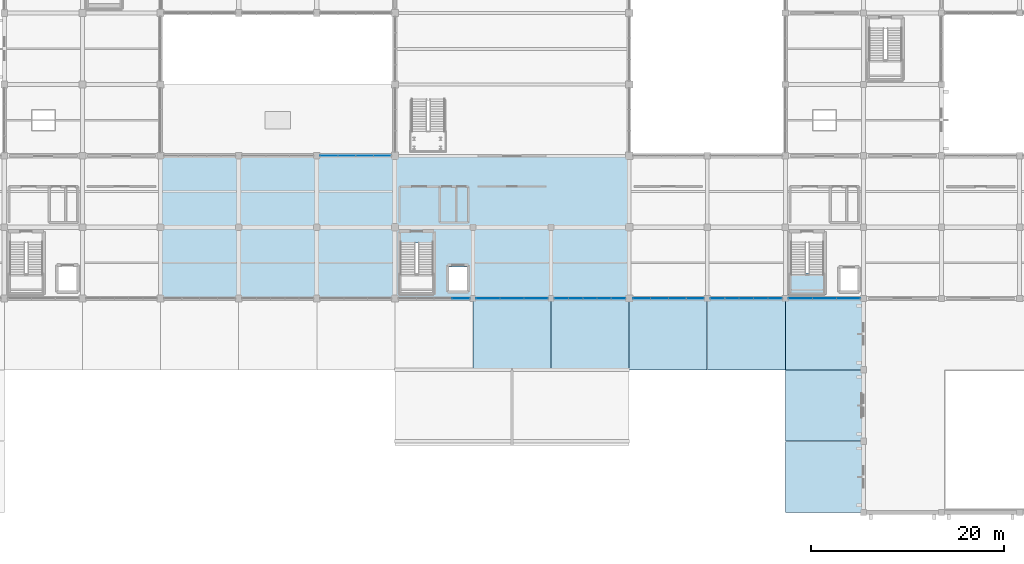
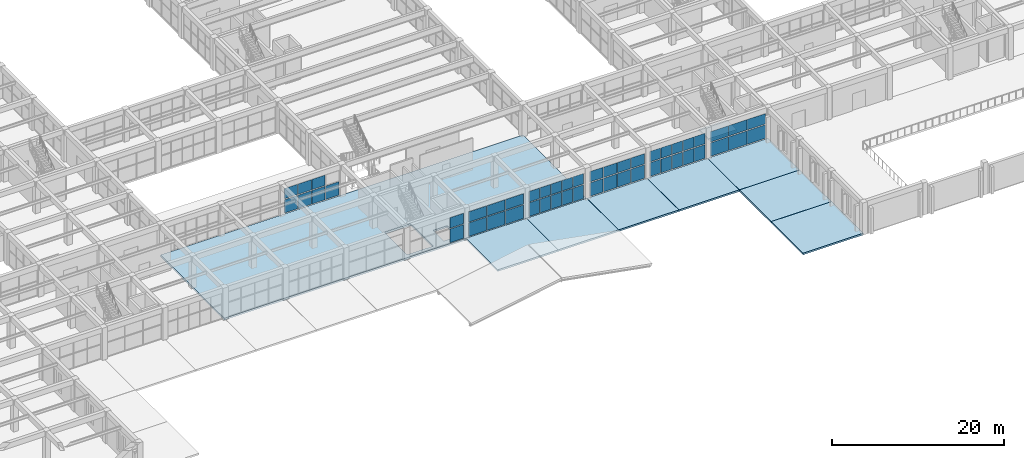
# One storey, part 133 of 161: 49 plates, 9 slabs, 8 elements without a shape of their own.
"""IFC4 building model written with IfcOpenShell, lengths in metres."""

from ifc_helpers import new_model, si_unit, direction, frame, origin, origin_2d, place, context, subcontext, project, spatial, polyline, rectangle, outline, extrude, material, layer, layer_set, type_object, element, aggregate, save


model = new_model("IFC4")

# Units and contexts
model_context = context("Model", 3, precision=1e-05, world=origin(), true_north=direction((0.0, 1.0)))
body_context = subcontext(model_context, "Body", "Model", "MODEL_VIEW")
ifc_project = project(units=[si_unit("LENGTHUNIT", "METRE"), si_unit("AREAUNIT", "SQUARE_METRE"), si_unit("VOLUMEUNIT", "CUBIC_METRE"), si_unit("PLANEANGLEUNIT", "RADIAN"), si_unit("MASSUNIT", "GRAM", prefix="KILO")], contexts=[model_context])

# Site, building, storey
site_placement = place(None, origin())
site = spatial("IfcSite", under=ifc_project, at=site_placement, CompositionType="ELEMENT")
building_placement = place(site_placement, origin())
building = spatial("IfcBuilding", under=site, at=building_placement, Name="Cimatlan Art Gallery", CompositionType="ELEMENT")
storey_placement = place(building_placement, frame((0.0, 0.0, 5.39990234375)))
storey = spatial("IfcBuildingStorey", under=building, at=storey_placement, Name="L01", CompositionType="ELEMENT", Elevation=5.39990234375)

# Curtain wall, plates
ifc_material_1 = material(Name="Anodised bronze unitised curtain wall")
curtain_wall_type_1 = type_object("IfcCurtainWallType", Name="CW-V-07392X03795-B5", PredefinedType="NOTDEFINED", material=ifc_material_1)
curtain_wall_1_placement = place(storey_placement, origin())
curtain_wall_1 = element("IfcCurtainWall", 1, at=curtain_wall_1_placement, inside=storey, type_object=curtain_wall_type_1, Name="CW-L01-11-03-S", PredefinedType="NOTDEFINED")
ifc_material_2 = material(Name="Low-E insulated double glazing", Category="glass")
ifc_layer_1 = layer(ifc_material_2, 0.028076171875)
ifc_layer_set_1 = layer_set([ifc_layer_1], Name="Low-E insulated double glazing")
plate_type_1 = type_object("IfcPlateType", Name="PNL-1420X1486", PredefinedType="CURTAIN_PANEL", material=ifc_layer_set_1)
plate_1_placement = place(storey_placement, frame((98.081787109375, 23.89990234375, 2.18701171875), z_axis=(0.0, 0.0, 1.0), x_axis=(-1.0, 0.0, 0.0)))
plate_1 = element("IfcPlate", 2, at=plate_1_placement, type_object=plate_type_1, Name="CW-L01-11-03-S-P12", PredefinedType="CURTAIN_PANEL", context=body_context, shape_type="SweptSolid", body=[
    extrude(rectangle(XDim=1.419921875, YDim=0.028076171875, at=origin_2d()), origin(), (0.0, 0.0, 1.0), 1.486083984375),
])
plate_2_placement = place(storey_placement, frame((96.603515625, 23.89990234375, 2.18701171875), z_axis=(0.0, 0.0, 1.0), x_axis=(-1.0, 0.0, 0.0)))
plate_2 = element("IfcPlate", 3, at=plate_2_placement, type_object=plate_type_1, Name="CW-L01-11-03-S-P22", PredefinedType="CURTAIN_PANEL", context=body_context, shape_type="SweptSolid", body=[
    extrude(rectangle(XDim=1.419921875, YDim=0.028076171875, at=origin_2d()), origin(), (0.0, 0.0, 1.0), 1.486083984375),
])
plate_3_placement = place(storey_placement, frame((95.125, 23.89990234375, 2.18701171875), z_axis=(0.0, 0.0, 1.0), x_axis=(-1.0, 0.0, 0.0)))
plate_3 = element("IfcPlate", 4, at=plate_3_placement, type_object=plate_type_1, Name="CW-L01-11-03-S-P32", PredefinedType="CURTAIN_PANEL", context=body_context, shape_type="SweptSolid", body=[
    extrude(rectangle(XDim=1.419921875, YDim=0.028076171875, at=origin_2d()), origin(), (0.0, 0.0, 1.0), 1.486083984375),
])
plate_4_placement = place(storey_placement, frame((93.646484375, 23.89990234375, 2.18701171875), z_axis=(0.0, 0.0, 1.0), x_axis=(-1.0, 0.0, 0.0)))
plate_4 = element("IfcPlate", 5, at=plate_4_placement, type_object=plate_type_1, Name="CW-L01-11-03-S-P42", PredefinedType="CURTAIN_PANEL", context=body_context, shape_type="SweptSolid", body=[
    extrude(rectangle(XDim=1.419921875, YDim=0.028076171875, at=origin_2d()), origin(), (0.0, 0.0, 1.0), 1.486083984375),
])
plate_5_placement = place(storey_placement, frame((92.168212890625, 23.89990234375, 2.18701171875), z_axis=(0.0, 0.0, 1.0), x_axis=(-1.0, 0.0, 0.0)))
plate_5 = element("IfcPlate", 6, at=plate_5_placement, type_object=plate_type_1, Name="CW-L01-11-03-S-P52", PredefinedType="CURTAIN_PANEL", context=body_context, shape_type="SweptSolid", body=[
    extrude(rectangle(XDim=1.419921875, YDim=0.028076171875, at=origin_2d()), origin(), (0.0, 0.0, 1.0), 1.486083984375),
])
ifc_layer_2 = layer(ifc_material_2, 0.028076171875)
ifc_layer_set_2 = layer_set([ifc_layer_2], Name="Low-E insulated double glazing")
plate_type_2 = type_object("IfcPlateType", Name="PNL-1420X1941", PredefinedType="CURTAIN_PANEL", material=ifc_layer_set_2)
plate_6_placement = place(storey_placement, frame((98.081787109375, 23.89990234375, 0.122314453125), z_axis=(0.0, 0.0, 1.0), x_axis=(-1.0, 0.0, 0.0)))
plate_6 = element("IfcPlate", 7, at=plate_6_placement, type_object=plate_type_2, Name="CW-L01-11-03-S-P11", PredefinedType="CURTAIN_PANEL", context=body_context, shape_type="SweptSolid", body=[
    extrude(rectangle(XDim=1.419921875, YDim=0.028076171875, at=origin_2d()), origin(), (0.0, 0.0, 1.0), 1.94091796875),
])
plate_7_placement = place(storey_placement, frame((96.603515625, 23.89990234375, 0.122314453125), z_axis=(0.0, 0.0, 1.0), x_axis=(-1.0, 0.0, 0.0)))
plate_7 = element("IfcPlate", 8, at=plate_7_placement, type_object=plate_type_2, Name="CW-L01-11-03-S-P21", PredefinedType="CURTAIN_PANEL", context=body_context, shape_type="SweptSolid", body=[
    extrude(rectangle(XDim=1.419921875, YDim=0.028076171875, at=origin_2d()), origin(), (0.0, 0.0, 1.0), 1.94091796875),
])
plate_8_placement = place(storey_placement, frame((95.125, 23.89990234375, 0.122314453125), z_axis=(0.0, 0.0, 1.0), x_axis=(-1.0, 0.0, 0.0)))
plate_8 = element("IfcPlate", 9, at=plate_8_placement, type_object=plate_type_2, Name="CW-L01-11-03-S-P31", PredefinedType="CURTAIN_PANEL", context=body_context, shape_type="SweptSolid", body=[
    extrude(rectangle(XDim=1.419921875, YDim=0.028076171875, at=origin_2d()), origin(), (0.0, 0.0, 1.0), 1.94091796875),
])
plate_9_placement = place(storey_placement, frame((93.646484375, 23.89990234375, 0.122314453125), z_axis=(0.0, 0.0, 1.0), x_axis=(-1.0, 0.0, 0.0)))
plate_9 = element("IfcPlate", 10, at=plate_9_placement, type_object=plate_type_2, Name="CW-L01-11-03-S-P41", PredefinedType="CURTAIN_PANEL", context=body_context, shape_type="SweptSolid", body=[
    extrude(rectangle(XDim=1.419921875, YDim=0.028076171875, at=origin_2d()), origin(), (0.0, 0.0, 1.0), 1.94091796875),
])
plate_10_placement = place(storey_placement, frame((92.168212890625, 23.89990234375, 0.122314453125), z_axis=(0.0, 0.0, 1.0), x_axis=(-1.0, 0.0, 0.0)))
plate_10 = element("IfcPlate", 11, at=plate_10_placement, type_object=plate_type_2, Name="CW-L01-11-03-S-P51", PredefinedType="CURTAIN_PANEL", context=body_context, shape_type="SweptSolid", body=[
    extrude(rectangle(XDim=1.419921875, YDim=0.028076171875, at=origin_2d()), origin(), (0.0, 0.0, 1.0), 1.94091796875),
])
aggregate(curtain_wall_1, [plate_6, plate_1, plate_7, plate_2, plate_8, plate_3, plate_9, plate_4, plate_10, plate_5])

curtain_wall_type_2 = type_object("IfcCurtainWallType", Name="CW-V-07442X03795-B5", PredefinedType="NOTDEFINED", material=ifc_material_1)
curtain_wall_2_placement = place(storey_placement, origin())
curtain_wall_2 = element("IfcCurtainWall", 12, at=curtain_wall_2_placement, inside=storey, type_object=curtain_wall_type_2, Name="CW-L01-13-03-S", PredefinedType="NOTDEFINED")
ifc_layer_3 = layer(ifc_material_2, 0.028076171875)
ifc_layer_set_3 = layer_set([ifc_layer_3], Name="Low-E insulated double glazing")
plate_type_3 = type_object("IfcPlateType", Name="PNL-1430X1486", PredefinedType="CURTAIN_PANEL", material=ifc_layer_set_3)
plate_11_placement = place(storey_placement, frame((114.326904296875, 23.89990234375, 2.18701171875), z_axis=(0.0, 0.0, 1.0), x_axis=(-1.0, 0.0, 0.0)))
plate_11 = element("IfcPlate", 13, at=plate_11_placement, type_object=plate_type_3, Name="CW-L01-13-03-S-P12", PredefinedType="CURTAIN_PANEL", context=body_context, shape_type="SweptSolid", body=[
    extrude(rectangle(XDim=1.429931640625, YDim=0.028076171875, at=origin_2d()), origin(), (0.0, 0.0, 1.0), 1.486083984375),
])
plate_12_placement = place(storey_placement, frame((112.83837890625, 23.89990234375, 2.18701171875), z_axis=(0.0, 0.0, 1.0), x_axis=(-1.0, 0.0, 0.0)))
plate_12 = element("IfcPlate", 14, at=plate_12_placement, type_object=plate_type_3, Name="CW-L01-13-03-S-P22", PredefinedType="CURTAIN_PANEL", context=body_context, shape_type="SweptSolid", body=[
    extrude(rectangle(XDim=1.429931640625, YDim=0.028076171875, at=origin_2d()), origin(), (0.0, 0.0, 1.0), 1.486083984375),
])
plate_13_placement = place(storey_placement, frame((111.35009765625, 23.89990234375, 2.18701171875), z_axis=(0.0, 0.0, 1.0), x_axis=(-1.0, 0.0, 0.0)))
plate_13 = element("IfcPlate", 15, at=plate_13_placement, type_object=plate_type_3, Name="CW-L01-13-03-S-P32", PredefinedType="CURTAIN_PANEL", context=body_context, shape_type="SweptSolid", body=[
    extrude(rectangle(XDim=1.429931640625, YDim=0.028076171875, at=origin_2d()), origin(), (0.0, 0.0, 1.0), 1.486083984375),
])
plate_14_placement = place(storey_placement, frame((109.861572265625, 23.89990234375, 2.18701171875), z_axis=(0.0, 0.0, 1.0), x_axis=(-1.0, 0.0, 0.0)))
plate_14 = element("IfcPlate", 16, at=plate_14_placement, type_object=plate_type_3, Name="CW-L01-13-03-S-P42", PredefinedType="CURTAIN_PANEL", context=body_context, shape_type="SweptSolid", body=[
    extrude(rectangle(XDim=1.429931640625, YDim=0.028076171875, at=origin_2d()), origin(), (0.0, 0.0, 1.0), 1.486083984375),
])
plate_15_placement = place(storey_placement, frame((108.373291015625, 23.89990234375, 2.18701171875), z_axis=(0.0, 0.0, 1.0), x_axis=(-1.0, 0.0, 0.0)))
plate_15 = element("IfcPlate", 17, at=plate_15_placement, type_object=plate_type_3, Name="CW-L01-13-03-S-P52", PredefinedType="CURTAIN_PANEL", context=body_context, shape_type="SweptSolid", body=[
    extrude(rectangle(XDim=1.429931640625, YDim=0.028076171875, at=origin_2d()), origin(), (0.0, 0.0, 1.0), 1.486083984375),
])
ifc_layer_4 = layer(ifc_material_2, 0.028076171875)
ifc_layer_set_4 = layer_set([ifc_layer_4], Name="Low-E insulated double glazing")
plate_type_4 = type_object("IfcPlateType", Name="PNL-1430X1941", PredefinedType="CURTAIN_PANEL", material=ifc_layer_set_4)
plate_16_placement = place(storey_placement, frame((114.326904296875, 23.89990234375, 0.122314453125), z_axis=(0.0, 0.0, 1.0), x_axis=(-1.0, 0.0, 0.0)))
plate_16 = element("IfcPlate", 18, at=plate_16_placement, type_object=plate_type_4, Name="CW-L01-13-03-S-P11", PredefinedType="CURTAIN_PANEL", context=body_context, shape_type="SweptSolid", body=[
    extrude(rectangle(XDim=1.429931640625, YDim=0.028076171875, at=origin_2d()), origin(), (0.0, 0.0, 1.0), 1.94091796875),
])
plate_17_placement = place(storey_placement, frame((112.83837890625, 23.89990234375, 0.122314453125), z_axis=(0.0, 0.0, 1.0), x_axis=(-1.0, 0.0, 0.0)))
plate_17 = element("IfcPlate", 19, at=plate_17_placement, type_object=plate_type_4, Name="CW-L01-13-03-S-P21", PredefinedType="CURTAIN_PANEL", context=body_context, shape_type="SweptSolid", body=[
    extrude(rectangle(XDim=1.429931640625, YDim=0.028076171875, at=origin_2d()), origin(), (0.0, 0.0, 1.0), 1.94091796875),
])
plate_18_placement = place(storey_placement, frame((111.35009765625, 23.89990234375, 0.122314453125), z_axis=(0.0, 0.0, 1.0), x_axis=(-1.0, 0.0, 0.0)))
plate_18 = element("IfcPlate", 20, at=plate_18_placement, type_object=plate_type_4, Name="CW-L01-13-03-S-P31", PredefinedType="CURTAIN_PANEL", context=body_context, shape_type="SweptSolid", body=[
    extrude(rectangle(XDim=1.429931640625, YDim=0.028076171875, at=origin_2d()), origin(), (0.0, 0.0, 1.0), 1.94091796875),
])
plate_19_placement = place(storey_placement, frame((109.861572265625, 23.89990234375, 0.122314453125), z_axis=(0.0, 0.0, 1.0), x_axis=(-1.0, 0.0, 0.0)))
plate_19 = element("IfcPlate", 21, at=plate_19_placement, type_object=plate_type_4, Name="CW-L01-13-03-S-P41", PredefinedType="CURTAIN_PANEL", context=body_context, shape_type="SweptSolid", body=[
    extrude(rectangle(XDim=1.429931640625, YDim=0.028076171875, at=origin_2d()), origin(), (0.0, 0.0, 1.0), 1.94091796875),
])
plate_20_placement = place(storey_placement, frame((108.373291015625, 23.89990234375, 0.122314453125), z_axis=(0.0, 0.0, 1.0), x_axis=(-1.0, 0.0, 0.0)))
plate_20 = element("IfcPlate", 22, at=plate_20_placement, type_object=plate_type_4, Name="CW-L01-13-03-S-P51", PredefinedType="CURTAIN_PANEL", context=body_context, shape_type="SweptSolid", body=[
    extrude(rectangle(XDim=1.429931640625, YDim=0.028076171875, at=origin_2d()), origin(), (0.0, 0.0, 1.0), 1.94091796875),
])
aggregate(curtain_wall_2, [plate_16, plate_11, plate_17, plate_12, plate_18, plate_13, plate_19, plate_14, plate_20, plate_15])

curtain_wall_type_3 = type_object("IfcCurtainWallType", Name="CW-V-07367X03735-B4", PredefinedType="NOTDEFINED", material=ifc_material_1)
curtain_wall_3_placement = place(storey_placement, origin())
curtain_wall_3 = element("IfcCurtainWall", 23, at=curtain_wall_3_placement, inside=storey, type_object=curtain_wall_type_3, Name="CW-L01-08-04-N", PredefinedType="NOTDEFINED")
ifc_layer_5 = layer(ifc_material_2, 0.028076171875)
ifc_layer_set_5 = layer_set([ifc_layer_5], Name="Low-E insulated double glazing")
plate_type_5 = type_object("IfcPlateType", Name="PNL-1784X1459", PredefinedType="CURTAIN_PANEL", material=ifc_layer_set_5)
plate_21_placement = place(storey_placement, frame((68.074951171875, 38.699951171875, 2.15380859375), z_axis=(0.0, 0.0, 1.0), x_axis=(1.0, 0.0, 0.0)))
plate_21 = element("IfcPlate", 24, at=plate_21_placement, type_object=plate_type_5, Name="CW-L01-08-04-N-P12", PredefinedType="CURTAIN_PANEL", context=body_context, shape_type="SweptSolid", body=[
    extrude(rectangle(XDim=1.783935546875, YDim=0.028076171875, at=origin_2d()), origin(), (0.0, 0.0, 1.0), 1.458984375),
])
plate_22_placement = place(storey_placement, frame((69.91650390625, 38.699951171875, 2.15380859375), z_axis=(0.0, 0.0, 1.0), x_axis=(1.0, 0.0, 0.0)))
plate_22 = element("IfcPlate", 25, at=plate_22_placement, type_object=plate_type_5, Name="CW-L01-08-04-N-P22", PredefinedType="CURTAIN_PANEL", context=body_context, shape_type="SweptSolid", body=[
    extrude(rectangle(XDim=1.783935546875, YDim=0.028076171875, at=origin_2d()), origin(), (0.0, 0.0, 1.0), 1.458984375),
])
plate_23_placement = place(storey_placement, frame((71.75830078125, 38.699951171875, 2.15380859375), z_axis=(0.0, 0.0, 1.0), x_axis=(1.0, 0.0, 0.0)))
plate_23 = element("IfcPlate", 26, at=plate_23_placement, type_object=plate_type_5, Name="CW-L01-08-04-N-P32", PredefinedType="CURTAIN_PANEL", context=body_context, shape_type="SweptSolid", body=[
    extrude(rectangle(XDim=1.783935546875, YDim=0.028076171875, at=origin_2d()), origin(), (0.0, 0.0, 1.0), 1.458984375),
])
ifc_layer_6 = layer(ifc_material_2, 0.028076171875)
ifc_layer_set_6 = layer_set([ifc_layer_6], Name="Low-E insulated double glazing")
plate_type_6 = type_object("IfcPlateType", Name="PNL-1784X1908", PredefinedType="CURTAIN_PANEL", material=ifc_layer_set_6)
plate_24_placement = place(storey_placement, frame((68.074951171875, 38.699951171875, 0.1220703125), z_axis=(0.0, 0.0, 1.0), x_axis=(1.0, 0.0, 0.0)))
plate_24 = element("IfcPlate", 27, at=plate_24_placement, type_object=plate_type_6, Name="CW-L01-08-04-N-P11", PredefinedType="CURTAIN_PANEL", context=body_context, shape_type="SweptSolid", body=[
    extrude(rectangle(XDim=1.783935546875, YDim=0.028076171875, at=origin_2d()), origin(), (0.0, 0.0, 1.0), 1.907958984375),
])
plate_25_placement = place(storey_placement, frame((69.91650390625, 38.699951171875, 0.1220703125), z_axis=(0.0, 0.0, 1.0), x_axis=(1.0, 0.0, 0.0)))
plate_25 = element("IfcPlate", 28, at=plate_25_placement, type_object=plate_type_6, Name="CW-L01-08-04-N-P21", PredefinedType="CURTAIN_PANEL", context=body_context, shape_type="SweptSolid", body=[
    extrude(rectangle(XDim=1.783935546875, YDim=0.028076171875, at=origin_2d()), origin(), (0.0, 0.0, 1.0), 1.907958984375),
])
plate_26_placement = place(storey_placement, frame((71.75830078125, 38.699951171875, 0.1220703125), z_axis=(0.0, 0.0, 1.0), x_axis=(1.0, 0.0, 0.0)))
plate_26 = element("IfcPlate", 29, at=plate_26_placement, type_object=plate_type_6, Name="CW-L01-08-04-N-P31", PredefinedType="CURTAIN_PANEL", context=body_context, shape_type="SweptSolid", body=[
    extrude(rectangle(XDim=1.783935546875, YDim=0.028076171875, at=origin_2d()), origin(), (0.0, 0.0, 1.0), 1.907958984375),
])
plate_27_placement = place(storey_placement, frame((73.60009765625, 38.699951171875, 0.1220703125), z_axis=(0.0, 0.0, 1.0), x_axis=(1.0, 0.0, 0.0)))
plate_27 = element("IfcPlate", 30, at=plate_27_placement, type_object=plate_type_6, Name="CW-L01-08-04-N-P41", PredefinedType="CURTAIN_PANEL", context=body_context, shape_type="SweptSolid", body=[
    extrude(rectangle(XDim=1.783935546875, YDim=0.028076171875, at=origin_2d()), origin(), (0.0, 0.0, 1.0), 1.907958984375),
])
aggregate(curtain_wall_3, [plate_24, plate_21, plate_25, plate_22, plate_26, plate_23, plate_27])

curtain_wall_type_4 = type_object("IfcCurtainWallType", Name="CW-V-07392X03750-B4", PredefinedType="NOTDEFINED", material=ifc_material_1)
curtain_wall_4_placement = place(storey_placement, origin())
curtain_wall_4 = element("IfcCurtainWall", 31, at=curtain_wall_4_placement, inside=storey, type_object=curtain_wall_type_4, Name="CW-L01-12-03-S", PredefinedType="NOTDEFINED")
ifc_layer_7 = layer(ifc_material_2, 0.028076171875)
ifc_layer_set_7 = layer_set([ifc_layer_7], Name="Low-E insulated double glazing")
plate_type_7 = type_object("IfcPlateType", Name="PNL-1790X1466", PredefinedType="CURTAIN_PANEL", material=ifc_layer_set_7)
plate_28_placement = place(storey_placement, frame((106.047119140625, 23.89990234375, 2.162109375), z_axis=(0.0, 0.0, 1.0), x_axis=(-1.0, 0.0, 0.0)))
plate_28 = element("IfcPlate", 32, at=plate_28_placement, type_object=plate_type_7, Name="CW-L01-12-03-S-P12", PredefinedType="CURTAIN_PANEL", context=body_context, shape_type="SweptSolid", body=[
    extrude(rectangle(XDim=1.7900390625, YDim=0.028076171875, at=origin_2d()), origin(), (0.0, 0.0, 1.0), 1.466064453125),
])
plate_29_placement = place(storey_placement, frame((104.198974609375, 23.89990234375, 2.162109375), z_axis=(0.0, 0.0, 1.0), x_axis=(-1.0, 0.0, 0.0)))
plate_29 = element("IfcPlate", 33, at=plate_29_placement, type_object=plate_type_7, Name="CW-L01-12-03-S-P22", PredefinedType="CURTAIN_PANEL", context=body_context, shape_type="SweptSolid", body=[
    extrude(rectangle(XDim=1.7900390625, YDim=0.028076171875, at=origin_2d()), origin(), (0.0, 0.0, 1.0), 1.466064453125),
])
plate_30_placement = place(storey_placement, frame((102.35107421875, 23.89990234375, 2.162109375), z_axis=(0.0, 0.0, 1.0), x_axis=(-1.0, 0.0, 0.0)))
plate_30 = element("IfcPlate", 34, at=plate_30_placement, type_object=plate_type_7, Name="CW-L01-12-03-S-P32", PredefinedType="CURTAIN_PANEL", context=body_context, shape_type="SweptSolid", body=[
    extrude(rectangle(XDim=1.7900390625, YDim=0.028076171875, at=origin_2d()), origin(), (0.0, 0.0, 1.0), 1.466064453125),
])
plate_31_placement = place(storey_placement, frame((100.5029296875, 23.89990234375, 2.162109375), z_axis=(0.0, 0.0, 1.0), x_axis=(-1.0, 0.0, 0.0)))
plate_31 = element("IfcPlate", 35, at=plate_31_placement, type_object=plate_type_7, Name="CW-L01-12-03-S-P42", PredefinedType="CURTAIN_PANEL", context=body_context, shape_type="SweptSolid", body=[
    extrude(rectangle(XDim=1.7900390625, YDim=0.028076171875, at=origin_2d()), origin(), (0.0, 0.0, 1.0), 1.466064453125),
])

# Curtain wall, plate
curtain_wall_type_5 = type_object("IfcCurtainWallType", Name="CW-V-07392X03795-B4", PredefinedType="NOTDEFINED", material=ifc_material_1)
curtain_wall_5_placement = place(storey_placement, origin())
curtain_wall_5 = element("IfcCurtainWall", 36, at=curtain_wall_5_placement, inside=storey, type_object=curtain_wall_type_5, Name="CW-L01-09-03-S", PredefinedType="NOTDEFINED")
ifc_layer_8 = layer(ifc_material_2, 0.028076171875)
ifc_layer_set_8 = layer_set([ifc_layer_8], Name="Low-E insulated double glazing")
plate_type_8 = type_object("IfcPlateType", Name="PNL-1790X1486", PredefinedType="CURTAIN_PANEL", material=ifc_layer_set_8)
plate_32_placement = place(storey_placement, frame((81.7470703125, 23.89990234375, 2.18701171875), z_axis=(0.0, 0.0, 1.0), x_axis=(-1.0, 0.0, 0.0)))
plate_32 = element("IfcPlate", 37, at=plate_32_placement, type_object=plate_type_8, Name="CW-L01-09-03-S-P12", PredefinedType="CURTAIN_PANEL", context=body_context, shape_type="SweptSolid", body=[
    extrude(rectangle(XDim=1.7900390625, YDim=0.028076171875, at=origin_2d()), origin(), (0.0, 0.0, 1.0), 1.486083984375),
])

# Plate
ifc_layer_9 = layer(ifc_material_2, 0.028076171875)
ifc_layer_set_9 = layer_set([ifc_layer_9], Name="Low-E insulated double glazing")
plate_type_9 = type_object("IfcPlateType", Name="PNL-1790X1916", PredefinedType="CURTAIN_PANEL", material=ifc_layer_set_9)
plate_33_placement = place(storey_placement, frame((106.047119140625, 23.89990234375, 0.1220703125), z_axis=(0.0, 0.0, 1.0), x_axis=(-1.0, 0.0, 0.0)))
plate_33 = element("IfcPlate", 38, at=plate_33_placement, type_object=plate_type_9, Name="CW-L01-12-03-S-P11", PredefinedType="CURTAIN_PANEL", context=body_context, shape_type="SweptSolid", body=[
    extrude(rectangle(XDim=1.7900390625, YDim=0.028076171875, at=origin_2d()), origin(), (0.0, 0.0, 1.0), 1.916015625),
])

plate_34_placement = place(storey_placement, frame((104.198974609375, 23.89990234375, 0.1220703125), z_axis=(0.0, 0.0, 1.0), x_axis=(-1.0, 0.0, 0.0)))
plate_34 = element("IfcPlate", 39, at=plate_34_placement, type_object=plate_type_9, Name="CW-L01-12-03-S-P21", PredefinedType="CURTAIN_PANEL", context=body_context, shape_type="SweptSolid", body=[
    extrude(rectangle(XDim=1.7900390625, YDim=0.028076171875, at=origin_2d()), origin(), (0.0, 0.0, 1.0), 1.916015625),
])

plate_35_placement = place(storey_placement, frame((102.35107421875, 23.89990234375, 0.1220703125), z_axis=(0.0, 0.0, 1.0), x_axis=(-1.0, 0.0, 0.0)))
plate_35 = element("IfcPlate", 40, at=plate_35_placement, type_object=plate_type_9, Name="CW-L01-12-03-S-P31", PredefinedType="CURTAIN_PANEL", context=body_context, shape_type="SweptSolid", body=[
    extrude(rectangle(XDim=1.7900390625, YDim=0.028076171875, at=origin_2d()), origin(), (0.0, 0.0, 1.0), 1.916015625),
])

plate_36_placement = place(storey_placement, frame((100.5029296875, 23.89990234375, 0.1220703125), z_axis=(0.0, 0.0, 1.0), x_axis=(-1.0, 0.0, 0.0)))
plate_36 = element("IfcPlate", 41, at=plate_36_placement, type_object=plate_type_9, Name="CW-L01-12-03-S-P41", PredefinedType="CURTAIN_PANEL", context=body_context, shape_type="SweptSolid", body=[
    extrude(rectangle(XDim=1.7900390625, YDim=0.028076171875, at=origin_2d()), origin(), (0.0, 0.0, 1.0), 1.916015625),
])

aggregate(curtain_wall_4, [plate_33, plate_28, plate_34, plate_29, plate_35, plate_30, plate_36, plate_31])

ifc_layer_10 = layer(ifc_material_2, 0.028076171875)
ifc_layer_set_10 = layer_set([ifc_layer_10], Name="Low-E insulated double glazing")
plate_type_10 = type_object("IfcPlateType", Name="PNL-1790X1941", PredefinedType="CURTAIN_PANEL", material=ifc_layer_set_10)
plate_37_placement = place(storey_placement, frame((81.7470703125, 23.89990234375, 0.122314453125), z_axis=(0.0, 0.0, 1.0), x_axis=(-1.0, 0.0, 0.0)))
plate_37 = element("IfcPlate", 42, at=plate_37_placement, type_object=plate_type_10, Name="CW-L01-09-03-S-P11", PredefinedType="CURTAIN_PANEL", context=body_context, shape_type="SweptSolid", body=[
    extrude(rectangle(XDim=1.7900390625, YDim=0.028076171875, at=origin_2d()), origin(), (0.0, 0.0, 1.0), 1.94091796875),
])

aggregate(curtain_wall_5, [plate_37, plate_32])

# Curtain wall, plates
curtain_wall_type_6 = type_object("IfcCurtainWallType", Name="CW-V-07442X03750-B3", PredefinedType="NOTDEFINED", material=ifc_material_1)
curtain_wall_6_placement = place(storey_placement, origin())
curtain_wall_6 = element("IfcCurtainWall", 43, at=curtain_wall_6_placement, inside=storey, type_object=curtain_wall_type_6, Name="CW-L01-10-03-S", PredefinedType="NOTDEFINED")
ifc_layer_11 = layer(ifc_material_2, 0.028076171875)
ifc_layer_set_11 = layer_set([ifc_layer_11], Name="Low-E insulated double glazing")
plate_type_11 = type_object("IfcPlateType", Name="PNL-2423X1466", PredefinedType="CURTAIN_PANEL", material=ifc_layer_set_11)
plate_38_placement = place(storey_placement, frame((89.53076171875, 23.89990234375, 2.162109375), z_axis=(0.0, 0.0, 1.0), x_axis=(-1.0, 0.0, 0.0)))
plate_38 = element("IfcPlate", 44, at=plate_38_placement, type_object=plate_type_11, Name="CW-L01-10-03-S-P12", PredefinedType="CURTAIN_PANEL", context=body_context, shape_type="SweptSolid", body=[
    extrude(rectangle(XDim=2.423095703125, YDim=0.028076171875, at=origin_2d()), origin(), (0.0, 0.0, 1.0), 1.466064453125),
])
plate_39_placement = place(storey_placement, frame((87.050048828125, 23.89990234375, 2.162109375), z_axis=(0.0, 0.0, 1.0), x_axis=(-1.0, 0.0, 0.0)))
plate_39 = element("IfcPlate", 45, at=plate_39_placement, type_object=plate_type_11, Name="CW-L01-10-03-S-P22", PredefinedType="CURTAIN_PANEL", context=body_context, shape_type="SweptSolid", body=[
    extrude(rectangle(XDim=2.423095703125, YDim=0.028076171875, at=origin_2d()), origin(), (0.0, 0.0, 1.0), 1.466064453125),
])
plate_40_placement = place(storey_placement, frame((84.5693359375, 23.89990234375, 2.162109375), z_axis=(0.0, 0.0, 1.0), x_axis=(-1.0, 0.0, 0.0)))
plate_40 = element("IfcPlate", 46, at=plate_40_placement, type_object=plate_type_11, Name="CW-L01-10-03-S-P32", PredefinedType="CURTAIN_PANEL", context=body_context, shape_type="SweptSolid", body=[
    extrude(rectangle(XDim=2.423095703125, YDim=0.028076171875, at=origin_2d()), origin(), (0.0, 0.0, 1.0), 1.466064453125),
])

curtain_wall_7_placement = place(storey_placement, origin())
curtain_wall_7 = element("IfcCurtainWall", 47, at=curtain_wall_7_placement, inside=storey, type_object=curtain_wall_type_6, Name="CW-L01-14-03-S", PredefinedType="NOTDEFINED")
plate_41_placement = place(storey_placement, frame((121.9306640625, 23.89990234375, 2.162109375), z_axis=(0.0, 0.0, 1.0), x_axis=(-1.0, 0.0, 0.0)))
plate_41 = element("IfcPlate", 48, at=plate_41_placement, type_object=plate_type_11, Name="CW-L01-14-03-S-P12", PredefinedType="CURTAIN_PANEL", context=body_context, shape_type="SweptSolid", body=[
    extrude(rectangle(XDim=2.423095703125, YDim=0.028076171875, at=origin_2d()), origin(), (0.0, 0.0, 1.0), 1.466064453125),
])
plate_42_placement = place(storey_placement, frame((119.449951171875, 23.89990234375, 2.162109375), z_axis=(0.0, 0.0, 1.0), x_axis=(-1.0, 0.0, 0.0)))
plate_42 = element("IfcPlate", 49, at=plate_42_placement, type_object=plate_type_11, Name="CW-L01-14-03-S-P22", PredefinedType="CURTAIN_PANEL", context=body_context, shape_type="SweptSolid", body=[
    extrude(rectangle(XDim=2.423095703125, YDim=0.028076171875, at=origin_2d()), origin(), (0.0, 0.0, 1.0), 1.466064453125),
])
plate_43_placement = place(storey_placement, frame((116.96923828125, 23.89990234375, 2.162109375), z_axis=(0.0, 0.0, 1.0), x_axis=(-1.0, 0.0, 0.0)))
plate_43 = element("IfcPlate", 50, at=plate_43_placement, type_object=plate_type_11, Name="CW-L01-14-03-S-P32", PredefinedType="CURTAIN_PANEL", context=body_context, shape_type="SweptSolid", body=[
    extrude(rectangle(XDim=2.423095703125, YDim=0.028076171875, at=origin_2d()), origin(), (0.0, 0.0, 1.0), 1.466064453125),
])

# Plate
ifc_layer_12 = layer(ifc_material_2, 0.028076171875)
ifc_layer_set_12 = layer_set([ifc_layer_12], Name="Low-E insulated double glazing")
plate_type_12 = type_object("IfcPlateType", Name="PNL-2423X1916", PredefinedType="CURTAIN_PANEL", material=ifc_layer_set_12)
plate_44_placement = place(storey_placement, frame((89.53076171875, 23.89990234375, 0.1220703125), z_axis=(0.0, 0.0, 1.0), x_axis=(-1.0, 0.0, 0.0)))
plate_44 = element("IfcPlate", 51, at=plate_44_placement, type_object=plate_type_12, Name="CW-L01-10-03-S-P11", PredefinedType="CURTAIN_PANEL", context=body_context, shape_type="SweptSolid", body=[
    extrude(rectangle(XDim=2.423095703125, YDim=0.028076171875, at=origin_2d()), origin(), (0.0, 0.0, 1.0), 1.916015625),
])

plate_45_placement = place(storey_placement, frame((87.050048828125, 23.89990234375, 0.1220703125), z_axis=(0.0, 0.0, 1.0), x_axis=(-1.0, 0.0, 0.0)))
plate_45 = element("IfcPlate", 52, at=plate_45_placement, type_object=plate_type_12, Name="CW-L01-10-03-S-P21", PredefinedType="CURTAIN_PANEL", context=body_context, shape_type="SweptSolid", body=[
    extrude(rectangle(XDim=2.423095703125, YDim=0.028076171875, at=origin_2d()), origin(), (0.0, 0.0, 1.0), 1.916015625),
])

plate_46_placement = place(storey_placement, frame((84.5693359375, 23.89990234375, 0.1220703125), z_axis=(0.0, 0.0, 1.0), x_axis=(-1.0, 0.0, 0.0)))
plate_46 = element("IfcPlate", 53, at=plate_46_placement, type_object=plate_type_12, Name="CW-L01-10-03-S-P31", PredefinedType="CURTAIN_PANEL", context=body_context, shape_type="SweptSolid", body=[
    extrude(rectangle(XDim=2.423095703125, YDim=0.028076171875, at=origin_2d()), origin(), (0.0, 0.0, 1.0), 1.916015625),
])

aggregate(curtain_wall_6, [plate_44, plate_38, plate_45, plate_39, plate_46, plate_40])

plate_47_placement = place(storey_placement, frame((121.9306640625, 23.89990234375, 0.1220703125), z_axis=(0.0, 0.0, 1.0), x_axis=(-1.0, 0.0, 0.0)))
plate_47 = element("IfcPlate", 54, at=plate_47_placement, type_object=plate_type_12, Name="CW-L01-14-03-S-P11", PredefinedType="CURTAIN_PANEL", context=body_context, shape_type="SweptSolid", body=[
    extrude(rectangle(XDim=2.423095703125, YDim=0.028076171875, at=origin_2d()), origin(), (0.0, 0.0, 1.0), 1.916015625),
])

plate_48_placement = place(storey_placement, frame((119.449951171875, 23.89990234375, 0.1220703125), z_axis=(0.0, 0.0, 1.0), x_axis=(-1.0, 0.0, 0.0)))
plate_48 = element("IfcPlate", 55, at=plate_48_placement, type_object=plate_type_12, Name="CW-L01-14-03-S-P21", PredefinedType="CURTAIN_PANEL", context=body_context, shape_type="SweptSolid", body=[
    extrude(rectangle(XDim=2.423095703125, YDim=0.028076171875, at=origin_2d()), origin(), (0.0, 0.0, 1.0), 1.916015625),
])

plate_49_placement = place(storey_placement, frame((116.96923828125, 23.89990234375, 0.1220703125), z_axis=(0.0, 0.0, 1.0), x_axis=(-1.0, 0.0, 0.0)))
plate_49 = element("IfcPlate", 56, at=plate_49_placement, type_object=plate_type_12, Name="CW-L01-14-03-S-P31", PredefinedType="CURTAIN_PANEL", context=body_context, shape_type="SweptSolid", body=[
    extrude(rectangle(XDim=2.423095703125, YDim=0.028076171875, at=origin_2d()), origin(), (0.0, 0.0, 1.0), 1.916015625),
])

aggregate(curtain_wall_7, [plate_47, plate_41, plate_48, plate_42, plate_49, plate_43])

# Slabs
ifc_material_3 = material(Name="Concrete C35/45", Category="concrete")
ifc_layer_13 = layer(ifc_material_3, 0.264892578125)
ifc_layer_set_13 = layer_set([ifc_layer_13], Name="Concrete C35/45")
slab_type_1 = type_object("IfcSlabType", Name="SLB-FLR-L01", PredefinedType="FLOOR", material=ifc_layer_set_13)
slab_1_placement = place(storey_placement, frame((0.0, 0.0, -0.264892578125)))
element("IfcSlab", 57, at=slab_1_placement, inside=storey, type_object=slab_type_1, Name="SLB-L01-SPC", PredefinedType="FLOOR", context=body_context, shape_type="SweptSolid", body=[
    extrude(outline(polyline([(50.60009765625, 23.89990234375), (99.199951171875, 23.89990234375), (99.199951171875, 38.699951171875), (50.60009765625, 38.699951171875), (50.60009765625, 23.89990234375)]), holes=[polyline([(75.39990234375, 24.419921875), (78.919921875, 24.419921875), (78.919921875, 29.64990234375), (75.39990234375, 29.64990234375), (75.39990234375, 24.419921875)]), polyline([(80.510009765625, 24.7099609375), (82.389892578125, 24.7099609375), (82.389892578125, 27.18994140625), (80.510009765625, 27.18994140625), (80.510009765625, 24.7099609375)])]), origin(), (0.0, 0.0, 1.0), 0.264892578125),
])
ifc_layer_14 = layer(ifc_material_3, 0.239990234375)
ifc_layer_set_14 = layer_set([ifc_layer_14], Name="Concrete C35/45")
slab_type_2 = type_object("IfcSlabType", Name="SLB-ROOF-CAN-185", PredefinedType="ROOF", material=ifc_layer_set_14)
slab_2_placement = place(storey_placement, frame((0.0, 0.0, -0.239990234375)))
element("IfcSlab", 58, at=slab_2_placement, inside=storey, type_object=slab_type_2, Name="SLB-COL-RF-02", PredefinedType="ROOF", context=body_context, shape_type="SweptSolid", body=[
    extrude(outline(polyline([(115.405029296875, 1.705078125), (123.4951171875, 1.705078125), (123.4951171875, 9.094970703125), (115.405029296875, 9.094970703125), (115.405029296875, 1.705078125)])), origin(), (0.0, 0.0, 1.0), 0.239990234375),
])
slab_3_placement = place(storey_placement, frame((0.0, 0.0, -0.239990234375)))
element("IfcSlab", 59, at=slab_3_placement, inside=storey, type_object=slab_type_2, Name="SLB-COL-RF-04", PredefinedType="ROOF", context=body_context, shape_type="SweptSolid", body=[
    extrude(outline(polyline([(115.405029296875, 9.10498046875), (123.4951171875, 9.10498046875), (123.4951171875, 16.4951171875), (115.405029296875, 16.4951171875), (115.405029296875, 9.10498046875)])), origin(), (0.0, 0.0, 1.0), 0.239990234375),
])
slab_4_placement = place(storey_placement, frame((0.0, 0.0, -0.239990234375)))
element("IfcSlab", 60, at=slab_4_placement, inside=storey, type_object=slab_type_2, Name="SLB-COL-RF-06", PredefinedType="ROOF", context=body_context, shape_type="SweptSolid", body=[
    extrude(outline(polyline([(115.405029296875, 16.5048828125), (123.4951171875, 16.5048828125), (123.4951171875, 23.89501953125), (115.405029296875, 23.89501953125), (115.405029296875, 16.5048828125)])), origin(), (0.0, 0.0, 1.0), 0.239990234375),
])
slab_5_placement = place(storey_placement, frame((0.0, 0.0, -0.239990234375)))
element("IfcSlab", 61, at=slab_5_placement, inside=storey, type_object=slab_type_2, Name="SLB-COL-RF-13", PredefinedType="ROOF", context=body_context, shape_type="SweptSolid", body=[
    extrude(outline(polyline([(83.0048828125, 16.5048828125), (91.094970703125, 16.5048828125), (91.094970703125, 23.89501953125), (83.0048828125, 23.89501953125), (83.0048828125, 16.5048828125)])), origin(), (0.0, 0.0, 1.0), 0.239990234375),
])
slab_6_placement = place(storey_placement, frame((0.0, 0.0, -0.239990234375)))
element("IfcSlab", 62, at=slab_6_placement, inside=storey, type_object=slab_type_2, Name="SLB-COL-RF-14", PredefinedType="ROOF", context=body_context, shape_type="SweptSolid", body=[
    extrude(outline(polyline([(91.10498046875, 16.5048828125), (99.195068359375, 16.5048828125), (99.195068359375, 23.89501953125), (91.10498046875, 23.89501953125), (91.10498046875, 16.5048828125)])), origin(), (0.0, 0.0, 1.0), 0.239990234375),
])
slab_7_placement = place(storey_placement, frame((0.0, 0.0, -0.239990234375)))
element("IfcSlab", 63, at=slab_7_placement, inside=storey, type_object=slab_type_2, Name="SLB-COL-RF-15", PredefinedType="ROOF", context=body_context, shape_type="SweptSolid", body=[
    extrude(outline(polyline([(99.205078125, 16.5048828125), (107.294921875, 16.5048828125), (107.294921875, 23.89501953125), (99.205078125, 23.89501953125), (99.205078125, 16.5048828125)])), origin(), (0.0, 0.0, 1.0), 0.239990234375),
])
slab_8_placement = place(storey_placement, frame((0.0, 0.0, -0.239990234375)))
element("IfcSlab", 64, at=slab_8_placement, inside=storey, type_object=slab_type_2, Name="SLB-COL-RF-16", PredefinedType="ROOF", context=body_context, shape_type="SweptSolid", body=[
    extrude(outline(polyline([(107.304931640625, 16.5048828125), (115.39501953125, 16.5048828125), (115.39501953125, 23.89501953125), (107.304931640625, 23.89501953125), (107.304931640625, 16.5048828125)])), origin(), (0.0, 0.0, 1.0), 0.239990234375),
])

# Stair, slab
stair_type = type_object("IfcStairType", Name="STR-HALF-155-480", PredefinedType="HALF_TURN_STAIR", material=ifc_material_3)
stair_placement = place(storey_placement, origin())
stair = element("IfcStair", 65, at=stair_placement, inside=storey, type_object=stair_type, Name="STR-C4-L01", PredefinedType="HALF_TURN_STAIR")
ifc_layer_15 = layer(ifc_material_3, 0.219970703125)
ifc_layer_set_15 = layer_set([ifc_layer_15], Name="Concrete C35/45")
slab_type_3 = type_object("IfcSlabType", Name="SLB-STAIR-LAND-220", PredefinedType="LANDING", material=ifc_layer_set_15)
slab_9_placement = place(storey_placement, frame((0.0, 0.0, 2.18017578125)))
slab_9 = element("IfcSlab", 66, at=slab_9_placement, type_object=slab_type_3, Name="STR-C4-L01-LND", PredefinedType="LANDING", context=body_context, shape_type="SweptSolid", body=[
    extrude(outline(polyline([(115.75, 24.25), (119.5400390625, 24.25), (119.5400390625, 26.550048828125), (115.75, 26.550048828125), (115.75, 24.25)])), origin(), (0.0, 0.0, 1.0), 0.219970703125),
])
aggregate(stair, [slab_9])

save(model, "model.ifc")
